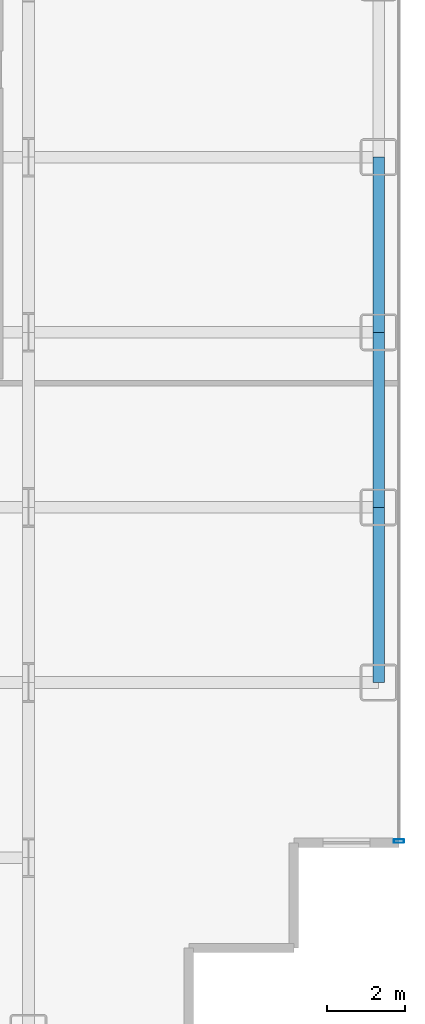
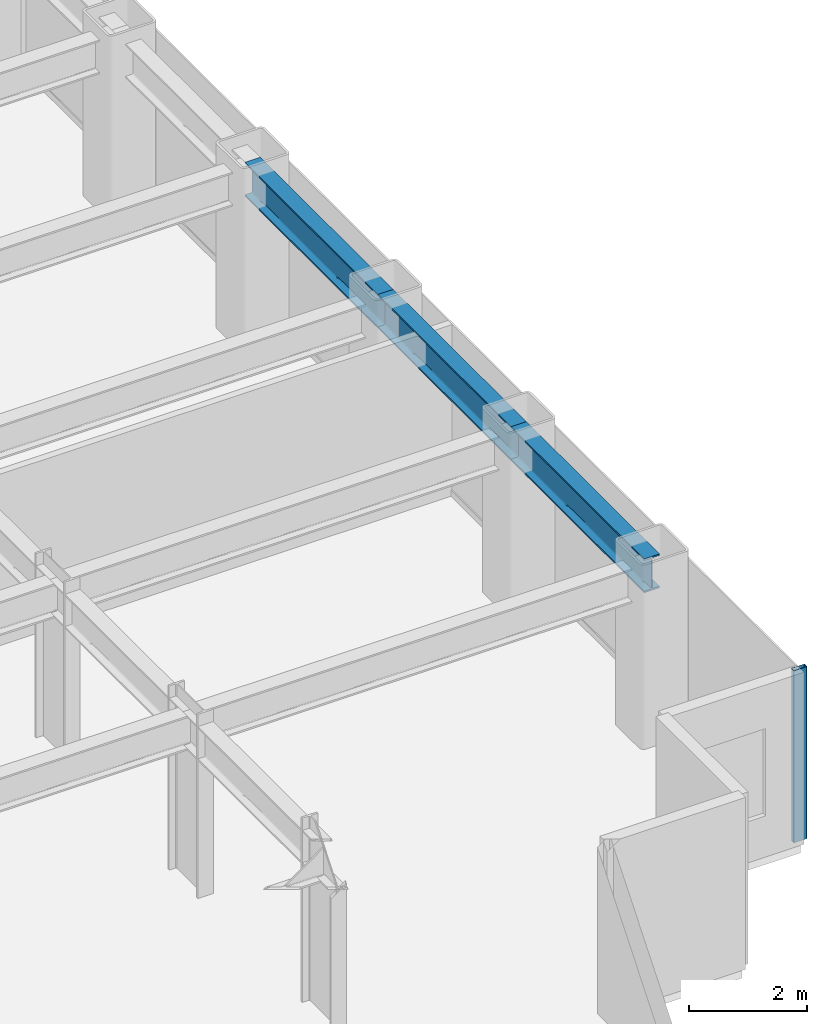
# One storey, part 16 of 25: 3 beams, 1 member, 1 element without a shape of its own.
"""IFC4 building model written with IfcOpenShell, lengths in metres."""

from ifc_helpers import new_model, si_unit, direction, frame, origin, origin_2d, place, context, subcontext, project, spatial, hollow_rectangle, i_section, extrude, source, transform, mapped, material, layer, layer_set, material_profile, profile_set, type_object, element, aggregate, save


model = new_model("IFC4")

# Units and contexts
model_context = context("Model", 3, precision=1e-05, world=origin(), true_north=direction((0.0, 1.0)))
body_context = subcontext(model_context, "Body", "Model", "MODEL_VIEW")
ifc_project = project(units=[si_unit("LENGTHUNIT", "METRE"), si_unit("AREAUNIT", "SQUARE_METRE"), si_unit("VOLUMEUNIT", "CUBIC_METRE"), si_unit("PLANEANGLEUNIT", "RADIAN"), si_unit("MASSUNIT", "GRAM", prefix="KILO")], contexts=[model_context])

# Site, building, storey
site_placement = place(None, origin())
site = spatial("IfcSite", under=ifc_project, at=site_placement, CompositionType="ELEMENT")
building_placement = place(site_placement, origin())
building = spatial("IfcBuilding", under=site, at=building_placement, Name="Nefas-Gora Pilgrimage Tower", CompositionType="ELEMENT")
storey_placement = place(building_placement, frame((0.0, 0.0, 71.0)))
storey = spatial("IfcBuildingStorey", under=building, at=storey_placement, Name="L16", CompositionType="ELEMENT", Elevation=71.0)

# Beams
ifc_material_1 = material(Name="Steel S355", Category="steel")
ifc_material_profile_1 = material_profile(ifc_material_1, i_section(OverallWidth=0.300048828125, OverallDepth=0.699951171875, WebThickness=0.01708984375, FlangeThickness=0.031982421875, FilletRadius=0.027099609375, at=origin_2d()), Name="HEB 700")
ifc_profile_set_1 = profile_set([ifc_material_profile_1], Name="Steel S355")
beam_type = type_object("IfcBeamType", Name="BM-SPN-HEB600", PredefinedType="SPANDREL", material=ifc_profile_set_1)
shared_shape_1 = source(origin(), body_context, "Body", "SweptSolid", [
    extrude(i_section(OverallWidth=0.300048828125, OverallDepth=0.699951171875, WebThickness=0.01708984375, FlangeThickness=0.031982421875, FilletRadius=0.027099609375, at=origin_2d()), origin(), (0.0, 0.0, 1.0), 4.5),
])
for number, where, z_axis, x_axis, name in (
    (1, (33.75, -13.5, 3.199951171875), (0.0, 1.0, 0.0), (-1.0, 0.0, 0.0), "L16 SP-01 beam"),
    (2, (33.75, -9.0, 3.199951171875), (0.0, 1.0, 0.0), (-1.0, 0.0, 0.0), "L16 SP-01 beam"),
    (3, (33.75, -4.5, 3.199951171875), (0.0, 1.0, 0.0), (-1.0, 0.0, 0.0), "L16 SP-01 beam"),
):
    element("IfcBeam", number, at=place(storey_placement, frame(where, z_axis=z_axis, x_axis=x_axis)), inside=storey, type_object=beam_type, Name=name, PredefinedType="SPANDREL", context=body_context, shape_type="MappedRepresentation", body=[
        mapped(shared_shape_1, transform((0.0, 0.0, 0.0), x_axis=(1.0, 0.0, 0.0), y_axis=(0.0, 1.0, 0.0), z_axis=(0.0, 0.0, 1.0), scale=1.0)),
    ])

# Curtain wall, member
ifc_material_2 = material(Name="Dark ceramic-fritted solar-control aluminium-glass curtain wall", Category="aluminium")
ifc_layer = layer(ifc_material_2, 0.219970703125)
ifc_layer_set = layer_set([ifc_layer], Name="Dark ceramic-fritted solar-control aluminium-glass curtain wall")
curtain_wall_type = type_object("IfcCurtainWallType", Name="CW-SYS-2", PredefinedType="NOTDEFINED", material=ifc_layer_set)
curtain_wall_placement = place(storey_placement, origin())
curtain_wall = element("IfcCurtainWall", 4, at=curtain_wall_placement, inside=storey, type_object=curtain_wall_type, Name="L16 Unitised Curtain Wall CW2", PredefinedType="NOTDEFINED")
ifc_material_3 = material(Name="Anodised architectural aluminium", Category="aluminium")
ifc_material_profile_2 = material_profile(ifc_material_3, hollow_rectangle(XDim=0.090087890625, YDim=0.260009765625, WallThickness=0.006103515625, InnerFilletRadius=0.006103515625, OuterFilletRadius=0.011962890625, at=origin_2d()), Name="ALU MULLION 90x260")
ifc_profile_set_2 = profile_set([ifc_material_profile_2], Name="Anodised architectural aluminium")
member_type = type_object("IfcMemberType", Name="CWM-MUL-2", PredefinedType="MULLION", material=ifc_profile_set_2)
shared_shape_2 = source(origin(), body_context, "Body", "SweptSolid", [
    extrude(hollow_rectangle(XDim=0.090087890625, YDim=0.260009765625, WallThickness=0.006103515625, InnerFilletRadius=0.006103515625, OuterFilletRadius=0.011962890625, at=origin_2d()), origin(), (0.0, 0.0, 1.0), 3.550048828125),
])
member_placement = place(storey_placement, frame((34.27001953125, -17.574951171875, 0.0), z_axis=(0.0, 0.0, 1.0), x_axis=(0.0, 1.0, 0.0)))
member = element("IfcMember", 5, at=member_placement, type_object=member_type, Name="CW2 Mullion 1", PredefinedType="MULLION", context=body_context, shape_type="MappedRepresentation", body=[
    mapped(shared_shape_2, transform((0.0, 0.0, 0.0), x_axis=(1.0, 0.0, 0.0), y_axis=(0.0, 1.0, 0.0), z_axis=(0.0, 0.0, 1.0), scale=1.0)),
])
aggregate(curtain_wall, [member])

save(model, "model.ifc")
